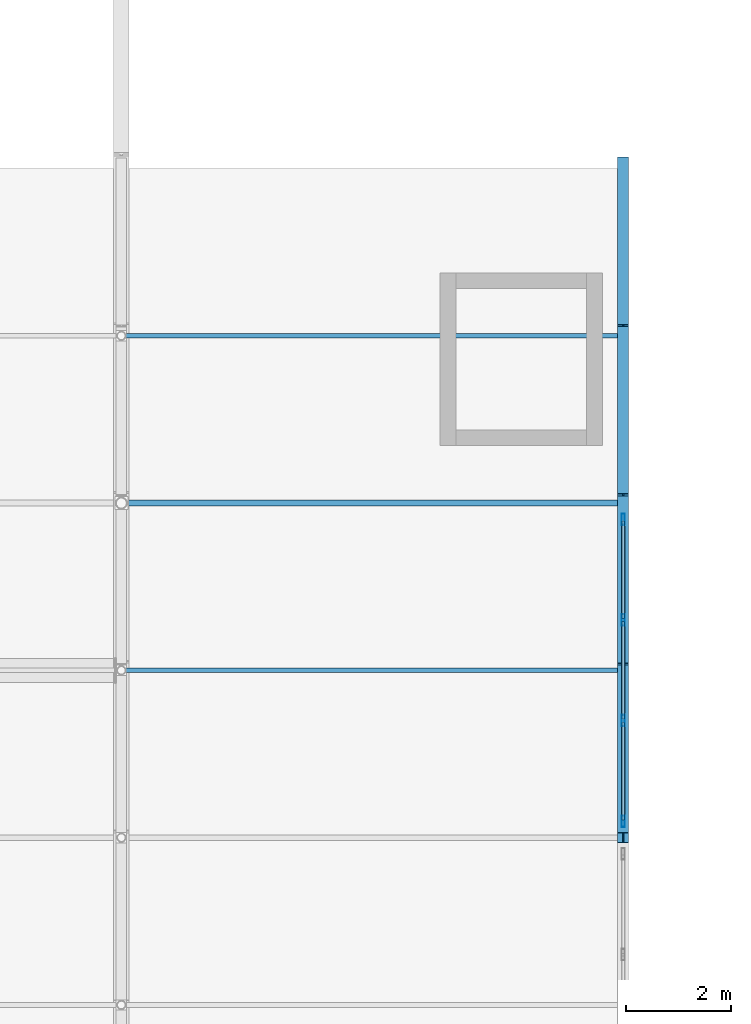
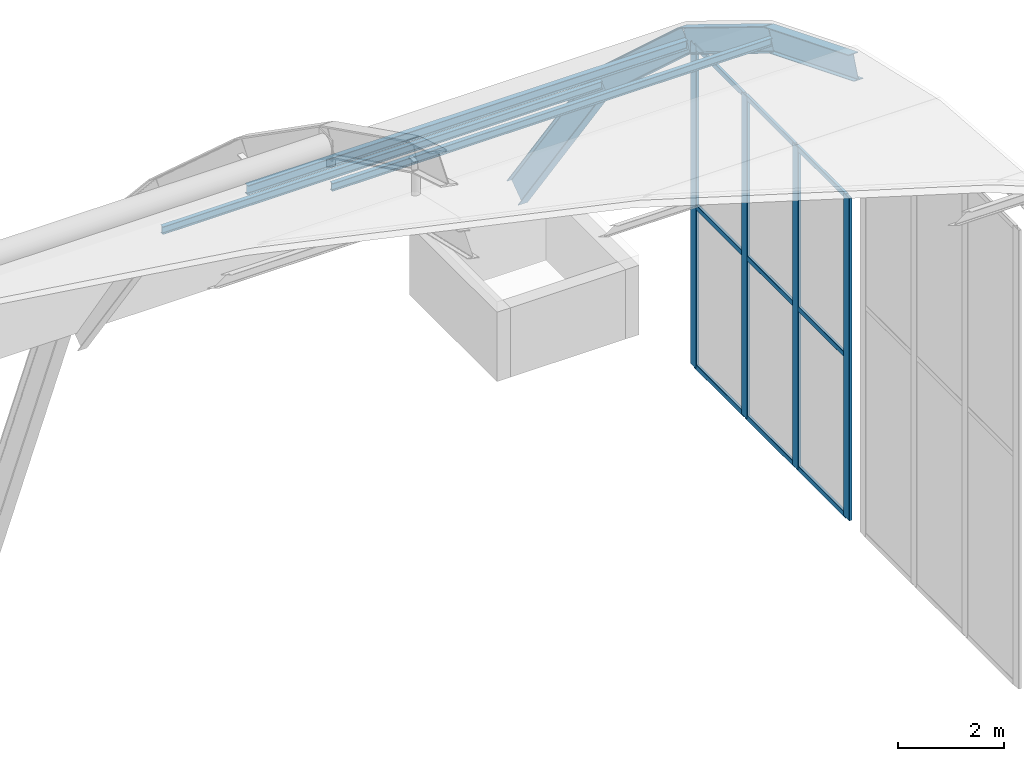
# One storey, part 97 of 126: 16 members, 4 beams, 1 element without a shape of its own.
"""IFC4 building model written with IfcOpenShell, lengths in metres."""

from ifc_helpers import new_model, si_unit, direction, frame, origin, origin_2d, place, context, subcontext, project, spatial, hollow_rectangle, i_section, extrude, material, material_profile, profile_set, type_object, element, aggregate, save


model = new_model("IFC4")

# Units and contexts
model_context = context("Model", 3, precision=1e-05, world=origin(), true_north=direction((0.0, 1.0)))
body_context = subcontext(model_context, "Body", "Model", "MODEL_VIEW")
ifc_project = project(units=[si_unit("LENGTHUNIT", "METRE"), si_unit("AREAUNIT", "SQUARE_METRE"), si_unit("VOLUMEUNIT", "CUBIC_METRE"), si_unit("PLANEANGLEUNIT", "RADIAN"), si_unit("MASSUNIT", "GRAM", prefix="KILO")], contexts=[model_context])

# Site, building, storey
site_placement = place(None, origin())
site = spatial("IfcSite", under=ifc_project, at=site_placement, CompositionType="ELEMENT")
building_placement = place(site_placement, origin())
building = spatial("IfcBuilding", under=site, at=building_placement, Name="Coralgate Yard Interchange", CompositionType="ELEMENT")
storey_placement = place(building_placement, frame((0.0, 0.0, 10.5)))
storey = spatial("IfcBuildingStorey", under=building, at=storey_placement, Name="L02", CompositionType="ELEMENT", Elevation=10.5)

# Beams
ifc_material_1 = material(Name="Weather-coated structural steel S355J2", Category="steel")
ifc_material_profile_1 = material_profile(ifc_material_1, i_section(OverallWidth=0.209228515625, OverallDepth=0.533203125, WebThickness=0.010009765625, FlangeThickness=0.015625, FilletRadius=0.0126953125, at=origin_2d()), Name="UB 533x210x92")
ifc_profile_set_1 = profile_set([ifc_material_profile_1], Name="Weather-coated structural steel S355J2")
beam_type = type_object("IfcBeamType", Name="BM-VR-1", PredefinedType="BEAM", material=ifc_profile_set_1)
beam_1_placement = place(storey_placement, frame((134.39990234375, 64.0, 10.58349609375), z_axis=(0.0, 0.927713244188, -0.373293633161), x_axis=(-1.0, 0.0, 0.0)))
element("IfcBeam", 1, at=beam_1_placement, inside=storey, type_object=beam_type, Name="Barrel-vault gridshell rib 11 seg 9", PredefinedType="BEAM", context=body_context, shape_type="SweptSolid", body=[
    extrude(i_section(OverallWidth=0.209228515625, OverallDepth=0.533203125, WebThickness=0.010009765625, FlangeThickness=0.015625, FilletRadius=0.0126953125, at=origin_2d()), origin(), (0.0, 0.0, 1.0), 3.44921875),
])
beam_2_placement = place(storey_placement, frame((134.39990234375, 67.199951171875, 9.2958984375), z_axis=(0.0, 0.852378727212, -0.522924951973), x_axis=(-1.0, 0.0, 0.0)))
element("IfcBeam", 2, at=beam_2_placement, inside=storey, type_object=beam_type, Name="Barrel-vault gridshell rib 11 seg 10", PredefinedType="BEAM", context=body_context, shape_type="SweptSolid", body=[
    extrude(i_section(OverallWidth=0.209228515625, OverallDepth=0.533203125, WebThickness=0.010009765625, FlangeThickness=0.015625, FilletRadius=0.0126953125, at=origin_2d()), origin(), (0.0, 0.0, 1.0), 3.754150390625),
])
beam_3_placement = place(storey_placement, frame((134.39990234375, 70.39990234375, 7.332763671875), z_axis=(0.0, 0.739500841068, -0.673155632867), x_axis=(-1.0, 0.0, 0.0)))
element("IfcBeam", 3, at=beam_3_placement, inside=storey, type_object=beam_type, Name="Barrel-vault gridshell rib 11 seg 11", PredefinedType="BEAM", context=body_context, shape_type="SweptSolid", body=[
    extrude(i_section(OverallWidth=0.209228515625, OverallDepth=0.533203125, WebThickness=0.010009765625, FlangeThickness=0.015625, FilletRadius=0.0126953125, at=origin_2d()), origin(), (0.0, 0.0, 1.0), 4.327392578125),
])
beam_4_placement = place(storey_placement, frame((134.39990234375, 73.60009765625, 4.419677734375), z_axis=(0.0, 0.581821714705, -0.813316354377), x_axis=(-1.0, 0.0, 0.0)))
element("IfcBeam", 4, at=beam_4_placement, inside=storey, type_object=beam_type, Name="Barrel-vault gridshell rib 11 seg 12", PredefinedType="BEAM", context=body_context, shape_type="SweptSolid", body=[
    extrude(i_section(OverallWidth=0.209228515625, OverallDepth=0.533203125, WebThickness=0.010009765625, FlangeThickness=0.015625, FilletRadius=0.0126953125, at=origin_2d()), origin(), (0.0, 0.0, 1.0), 5.5),
])

# Curtain wall, members
ifc_material_2 = material(Name="Anodised coastal aluminium and solar-control low-E glass", Category="aluminium")
curtain_wall_type = type_object("IfcCurtainWallType", Name="CW-CW-VLT-2", PredefinedType="NOTDEFINED", material=ifc_material_2)
curtain_wall_placement = place(storey_placement, origin())
curtain_wall = element("IfcCurtainWall", 5, at=curtain_wall_placement, inside=storey, type_object=curtain_wall_type, Name="L02 unitised curtain wall CW-VAULT-E-5", PredefinedType="NOTDEFINED")
ifc_material_3 = material(Name="Anodised coastal aluminium 6063-T6", Category="aluminium")
ifc_material_profile_2 = material_profile(ifc_material_3, hollow_rectangle(XDim=0.06005859375, YDim=0.219970703125, WallThickness=0.00390625, InnerFilletRadius=0.00390625, OuterFilletRadius=0.008056640625, at=origin_2d()), Name="ALU 60x220x4")
ifc_profile_set_2 = profile_set([ifc_material_profile_2], Name="Anodised coastal aluminium 6063-T6")
member_type_1 = type_object("IfcMemberType", Name="MB-MUL-220", PredefinedType="MULLION", material=ifc_profile_set_2)
member_1_placement = place(storey_placement, frame((134.39990234375, 70.090087890625, 0.0), z_axis=(0.0, 0.0, 1.0), x_axis=(1.0, 0.0, 0.0)))
member_1 = element("IfcMember", 6, at=member_1_placement, type_object=member_type_1, Name="CW-VAULT-E-5 vertical mullion 1", PredefinedType="MULLION", context=body_context, shape_type="SweptSolid", body=[
    extrude(hollow_rectangle(XDim=0.06005859375, YDim=0.219970703125, WallThickness=0.00390625, InnerFilletRadius=0.00390625, OuterFilletRadius=0.008056640625, at=origin_2d()), origin(), (0.0, 0.0, 1.0), 7.431884765625),
])
member_2_placement = place(storey_placement, frame((134.39990234375, 68.163330078125, 0.0), z_axis=(0.0, 0.0, 1.0), x_axis=(1.0, 0.0, 0.0)))
member_2 = element("IfcMember", 7, at=member_2_placement, type_object=member_type_1, Name="CW-VAULT-E-5 vertical mullion 2", PredefinedType="MULLION", context=body_context, shape_type="SweptSolid", body=[
    extrude(hollow_rectangle(XDim=0.06005859375, YDim=0.219970703125, WallThickness=0.00390625, InnerFilletRadius=0.00390625, OuterFilletRadius=0.008056640625, at=origin_2d()), origin(), (0.0, 0.0, 1.0), 7.431884765625),
])
member_3_placement = place(storey_placement, frame((134.39990234375, 66.236572265625, 0.0), z_axis=(0.0, 0.0, 1.0), x_axis=(1.0, 0.0, 0.0)))
member_3 = element("IfcMember", 8, at=member_3_placement, type_object=member_type_1, Name="CW-VAULT-E-5 vertical mullion 3", PredefinedType="MULLION", context=body_context, shape_type="SweptSolid", body=[
    extrude(hollow_rectangle(XDim=0.06005859375, YDim=0.219970703125, WallThickness=0.00390625, InnerFilletRadius=0.00390625, OuterFilletRadius=0.008056640625, at=origin_2d()), origin(), (0.0, 0.0, 1.0), 7.431884765625),
])
member_4_placement = place(storey_placement, frame((134.39990234375, 64.31005859375, 0.0), z_axis=(0.0, 0.0, 1.0), x_axis=(1.0, 0.0, 0.0)))
member_4 = element("IfcMember", 9, at=member_4_placement, type_object=member_type_1, Name="CW-VAULT-E-5 vertical mullion 4", PredefinedType="MULLION", context=body_context, shape_type="SweptSolid", body=[
    extrude(hollow_rectangle(XDim=0.06005859375, YDim=0.219970703125, WallThickness=0.00390625, InnerFilletRadius=0.00390625, OuterFilletRadius=0.008056640625, at=origin_2d()), origin(), (0.0, 0.0, 1.0), 7.431884765625),
])

# Members
ifc_material_profile_3 = material_profile(ifc_material_1, i_section(OverallWidth=0.110107421875, OverallDepth=0.219970703125, WebThickness=0.005859375, FlangeThickness=0.00927734375, FilletRadius=0.011962890625, at=origin_2d()), Name="IPE 220")
ifc_profile_set_3 = profile_set([ifc_material_profile_3], Name="Weather-coated structural steel S355J2")
member_type_2 = type_object("IfcMemberType", Name="MB-PR-1", PredefinedType="PURLIN", material=ifc_profile_set_3)
member_5_placement = place(storey_placement, frame((124.802001953125, 70.39990234375, 7.2392578125), z_axis=(1.0, 0.0, 0.0), x_axis=(0.0, 1.0, 0.0)))
element("IfcMember", 10, at=member_5_placement, inside=storey, type_object=member_type_2, Name="Barrel-vault gridshell purlin 10-11", PredefinedType="PURLIN", context=body_context, shape_type="SweptSolid", body=[
    extrude(i_section(OverallWidth=0.110107421875, OverallDepth=0.219970703125, WebThickness=0.005859375, FlangeThickness=0.00927734375, FilletRadius=0.011962890625, at=origin_2d()), origin(), (0.0, 0.0, 1.0), 9.595947265625),
])
ifc_material_4 = material(Name="Off-white architectural structural steel S355J2", Category="steel")
ifc_material_profile_4 = material_profile(ifc_material_4, i_section(OverallWidth=0.091064453125, OverallDepth=0.179931640625, WebThickness=0.00537109375, FlangeThickness=0.008056640625, FilletRadius=0.009033203125, at=origin_2d()), Name="IPE 180")
ifc_profile_set_4 = profile_set([ifc_material_profile_4], Name="Off-white architectural structural steel S355J2")
member_type_3 = type_object("IfcMemberType", Name="MB-PR-2", PredefinedType="PURLIN", material=ifc_profile_set_4)
for number, where, z_axis, x_axis, name in (
    (11, (124.802001953125, 67.199951171875, 9.242431640625), (1.0, 0.0, 0.0), (0.0, 1.0, 0.0), "Barrel-vault gridshell purlin 10-10"),
    (12, (124.802001953125, 73.60009765625, 4.3662109375), (1.0, 0.0, 0.0), (0.0, 1.0, 0.0), "Barrel-vault gridshell purlin 10-12"),
):
    element("IfcMember", number, at=place(storey_placement, frame(where, z_axis=z_axis, x_axis=x_axis)), inside=storey, type_object=member_type_3, Name=name, PredefinedType="PURLIN", context=body_context, shape_type="SweptSolid", body=[
        extrude(i_section(OverallWidth=0.091064453125, OverallDepth=0.179931640625, WebThickness=0.00537109375, FlangeThickness=0.008056640625, FilletRadius=0.009033203125, at=origin_2d()), origin(), (0.0, 0.0, 1.0), 9.595947265625),
    ])

# Member
ifc_material_profile_5 = material_profile(ifc_material_3, hollow_rectangle(XDim=0.06005859375, YDim=0.1201171875, WallThickness=0.00341796875, InnerFilletRadius=0.00341796875, OuterFilletRadius=0.007080078125, at=origin_2d()), Name="ALU 60x120x3.5")
ifc_profile_set_5 = profile_set([ifc_material_profile_5], Name="Anodised coastal aluminium 6063-T6")
member_type_4 = type_object("IfcMemberType", Name="MB-TRN-120", PredefinedType="USERDEFINED", material=ifc_profile_set_5)
member_6_placement = place(storey_placement, frame((134.39990234375, 70.06005859375, 0.034912109375), z_axis=(0.0, -1.0, 0.0), x_axis=(1.0, 0.0, 0.0)))
member_6 = element("IfcMember", 13, at=member_6_placement, type_object=member_type_4, Name="CW-VAULT-E-5 horizontal transom 1-1", ObjectType="TRANSOM", PredefinedType="USERDEFINED", context=body_context, shape_type="SweptSolid", body=[
    extrude(hollow_rectangle(XDim=0.06005859375, YDim=0.1201171875, WallThickness=0.00341796875, InnerFilletRadius=0.00341796875, OuterFilletRadius=0.007080078125, at=origin_2d()), origin(), (0.0, 0.0, 1.0), 1.86669921875),
])

member_7_placement = place(storey_placement, frame((134.39990234375, 70.06005859375, 3.716064453125), z_axis=(0.0, -1.0, 0.0), x_axis=(1.0, 0.0, 0.0)))
member_7 = element("IfcMember", 14, at=member_7_placement, type_object=member_type_4, Name="CW-VAULT-E-5 horizontal transom 1-2", ObjectType="TRANSOM", PredefinedType="USERDEFINED", context=body_context, shape_type="SweptSolid", body=[
    extrude(hollow_rectangle(XDim=0.06005859375, YDim=0.1201171875, WallThickness=0.00341796875, InnerFilletRadius=0.00341796875, OuterFilletRadius=0.007080078125, at=origin_2d()), origin(), (0.0, 0.0, 1.0), 1.86669921875),
])

member_8_placement = place(storey_placement, frame((134.39990234375, 70.06005859375, 7.39697265625), z_axis=(0.0, -1.0, 0.0), x_axis=(1.0, 0.0, 0.0)))
member_8 = element("IfcMember", 15, at=member_8_placement, type_object=member_type_4, Name="CW-VAULT-E-5 horizontal transom 1-3", ObjectType="TRANSOM", PredefinedType="USERDEFINED", context=body_context, shape_type="SweptSolid", body=[
    extrude(hollow_rectangle(XDim=0.06005859375, YDim=0.1201171875, WallThickness=0.00341796875, InnerFilletRadius=0.00341796875, OuterFilletRadius=0.007080078125, at=origin_2d()), origin(), (0.0, 0.0, 1.0), 1.86669921875),
])

member_9_placement = place(storey_placement, frame((134.39990234375, 68.13330078125, 0.034912109375), z_axis=(0.0, -1.0, 0.0), x_axis=(1.0, 0.0, 0.0)))
member_9 = element("IfcMember", 16, at=member_9_placement, type_object=member_type_4, Name="CW-VAULT-E-5 horizontal transom 2-1", ObjectType="TRANSOM", PredefinedType="USERDEFINED", context=body_context, shape_type="SweptSolid", body=[
    extrude(hollow_rectangle(XDim=0.06005859375, YDim=0.1201171875, WallThickness=0.00341796875, InnerFilletRadius=0.00341796875, OuterFilletRadius=0.007080078125, at=origin_2d()), origin(), (0.0, 0.0, 1.0), 1.86669921875),
])

member_10_placement = place(storey_placement, frame((134.39990234375, 68.13330078125, 3.716064453125), z_axis=(0.0, -1.0, 0.0), x_axis=(1.0, 0.0, 0.0)))
member_10 = element("IfcMember", 17, at=member_10_placement, type_object=member_type_4, Name="CW-VAULT-E-5 horizontal transom 2-2", ObjectType="TRANSOM", PredefinedType="USERDEFINED", context=body_context, shape_type="SweptSolid", body=[
    extrude(hollow_rectangle(XDim=0.06005859375, YDim=0.1201171875, WallThickness=0.00341796875, InnerFilletRadius=0.00341796875, OuterFilletRadius=0.007080078125, at=origin_2d()), origin(), (0.0, 0.0, 1.0), 1.86669921875),
])

member_11_placement = place(storey_placement, frame((134.39990234375, 68.13330078125, 7.39697265625), z_axis=(0.0, -1.0, 0.0), x_axis=(1.0, 0.0, 0.0)))
member_11 = element("IfcMember", 18, at=member_11_placement, type_object=member_type_4, Name="CW-VAULT-E-5 horizontal transom 2-3", ObjectType="TRANSOM", PredefinedType="USERDEFINED", context=body_context, shape_type="SweptSolid", body=[
    extrude(hollow_rectangle(XDim=0.06005859375, YDim=0.1201171875, WallThickness=0.00341796875, InnerFilletRadius=0.00341796875, OuterFilletRadius=0.007080078125, at=origin_2d()), origin(), (0.0, 0.0, 1.0), 1.86669921875),
])

member_12_placement = place(storey_placement, frame((134.39990234375, 66.206787109375, 0.034912109375), z_axis=(0.0, -1.0, 0.0), x_axis=(1.0, 0.0, 0.0)))
member_12 = element("IfcMember", 19, at=member_12_placement, type_object=member_type_4, Name="CW-VAULT-E-5 horizontal transom 3-1", ObjectType="TRANSOM", PredefinedType="USERDEFINED", context=body_context, shape_type="SweptSolid", body=[
    extrude(hollow_rectangle(XDim=0.06005859375, YDim=0.1201171875, WallThickness=0.00341796875, InnerFilletRadius=0.00341796875, OuterFilletRadius=0.007080078125, at=origin_2d()), origin(), (0.0, 0.0, 1.0), 1.86669921875),
])

member_13_placement = place(storey_placement, frame((134.39990234375, 66.206787109375, 3.716064453125), z_axis=(0.0, -1.0, 0.0), x_axis=(1.0, 0.0, 0.0)))
member_13 = element("IfcMember", 20, at=member_13_placement, type_object=member_type_4, Name="CW-VAULT-E-5 horizontal transom 3-2", ObjectType="TRANSOM", PredefinedType="USERDEFINED", context=body_context, shape_type="SweptSolid", body=[
    extrude(hollow_rectangle(XDim=0.06005859375, YDim=0.1201171875, WallThickness=0.00341796875, InnerFilletRadius=0.00341796875, OuterFilletRadius=0.007080078125, at=origin_2d()), origin(), (0.0, 0.0, 1.0), 1.86669921875),
])

member_14_placement = place(storey_placement, frame((134.39990234375, 66.206787109375, 7.39697265625), z_axis=(0.0, -1.0, 0.0), x_axis=(1.0, 0.0, 0.0)))
member_14 = element("IfcMember", 21, at=member_14_placement, type_object=member_type_4, Name="CW-VAULT-E-5 horizontal transom 3-3", ObjectType="TRANSOM", PredefinedType="USERDEFINED", context=body_context, shape_type="SweptSolid", body=[
    extrude(hollow_rectangle(XDim=0.06005859375, YDim=0.1201171875, WallThickness=0.00341796875, InnerFilletRadius=0.00341796875, OuterFilletRadius=0.007080078125, at=origin_2d()), origin(), (0.0, 0.0, 1.0), 1.86669921875),
])

aggregate(curtain_wall, [member_1, member_2, member_3, member_4, member_6, member_7, member_8, member_9, member_10, member_11, member_12, member_13, member_14])

save(model, "model.ifc")
